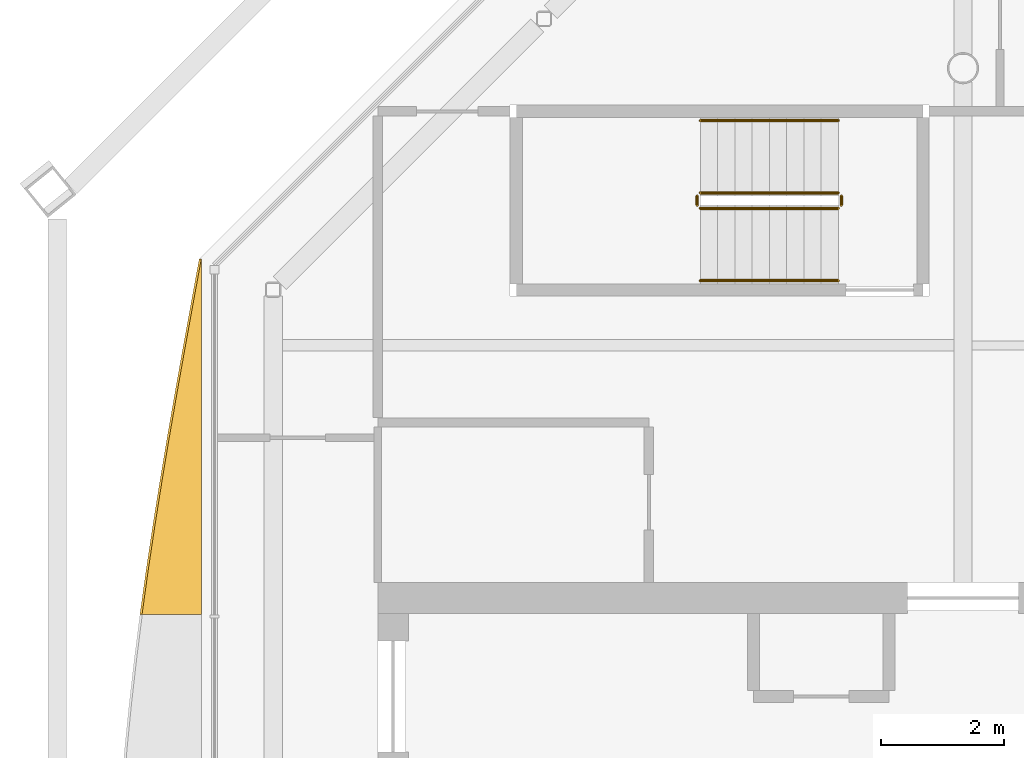
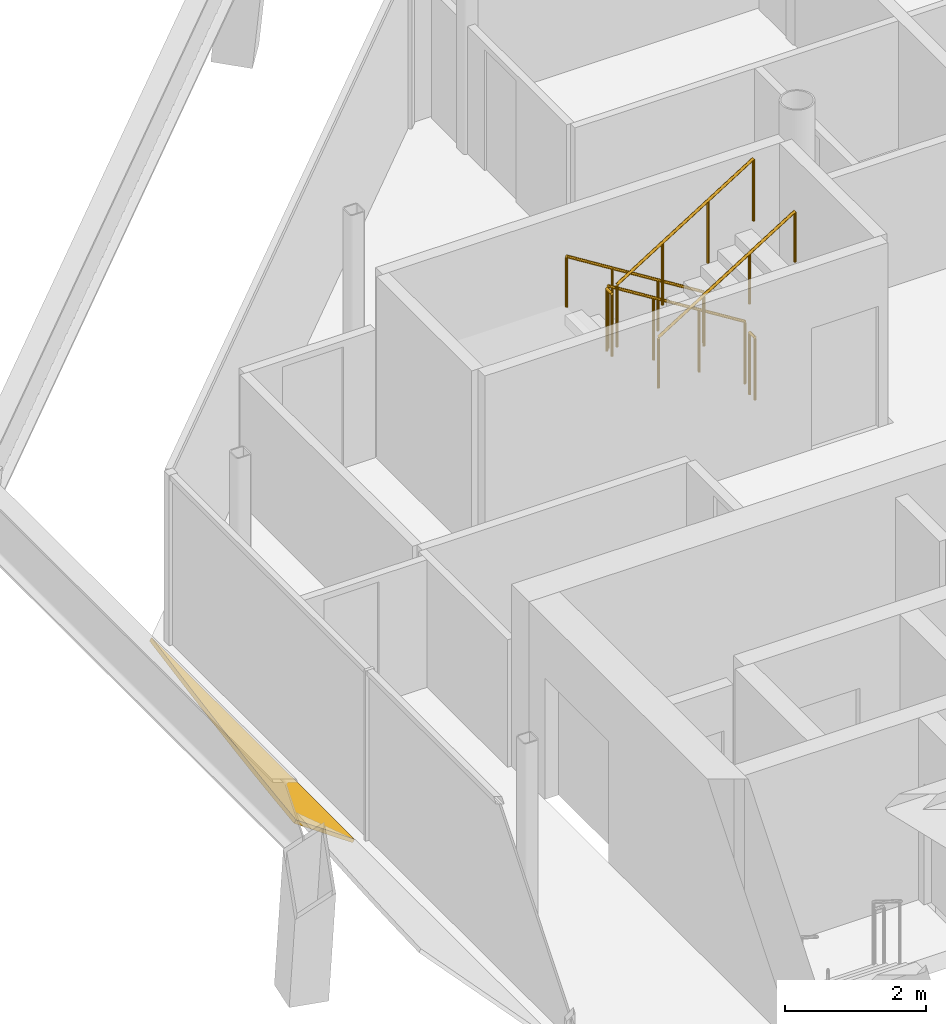
# One storey, part 13 of 14: 6 railings, 1 shading device.
"""IFC4 building model written with IfcOpenShell, lengths in metres."""

from ifc_helpers import new_model, si_unit, direction, frame, origin, origin_2d, place, context, subcontext, project, spatial, polyline, circle, outline, extrude, material, layer, layer_set, type_object, element, save


model = new_model("IFC4")

# Units and contexts
model_context = context("Model", 3, precision=1e-05, world=origin(), true_north=direction((0.0, 1.0)))
body_context = subcontext(model_context, "Body", "Model", "MODEL_VIEW")
ifc_project = project(units=[si_unit("LENGTHUNIT", "METRE"), si_unit("AREAUNIT", "SQUARE_METRE"), si_unit("VOLUMEUNIT", "CUBIC_METRE"), si_unit("PLANEANGLEUNIT", "RADIAN"), si_unit("MASSUNIT", "GRAM", prefix="KILO")], contexts=[model_context])

# Site, building, storey
site_placement = place(None, origin())
site = spatial("IfcSite", under=ifc_project, at=site_placement, CompositionType="ELEMENT")
building_placement = place(site_placement, origin())
building = spatial("IfcBuilding", under=site, at=building_placement, Name="Tskaro Facet Tower", CompositionType="ELEMENT")
storey_placement = place(building_placement, frame((0.0, 0.0, 294.14990234375)))
storey = spatial("IfcBuildingStorey", under=building, at=storey_placement, Name="L79", CompositionType="ELEMENT", Elevation=294.14990234375)

# Shading device
ifc_material_1 = material(Name="Bronze anodised aluminium 6063-T6", Category="aluminium")
ifc_layer = layer(ifc_material_1, 0.06005859375, Name="Bronze anodised aluminium 6063-T6")
ifc_layer_set = layer_set([ifc_layer], Name="Bronze anodised aluminium 6063-T6")
shading_device_type = type_object("IfcShadingDeviceType", Name="Bronze sun blade (FN1)", PredefinedType="USERDEFINED", material=ifc_layer_set)
shading_device_placement = place(storey_placement, frame((-12.365478515625, 5.89990234375, 0.04931640625), z_axis=(0.573434080901, 1.0882066e-05, 0.819251704144), x_axis=(6.240147e-06, -0.999999999941, 8.915151e-06)))
element("IfcShadingDevice", 1, at=shading_device_placement, inside=storey, type_object=shading_device_type, Name="Fin blade west 1", ObjectType="FIN", PredefinedType="USERDEFINED", context=body_context, shape_type="SweptSolid", body=[
    extrude(outline(polyline([(0.0, 0.0), (5.766601562158562, 0.0), (5.766601562816693, -1.1732857144683915), (5.045654296535432, -1.050760942561073), (4.3249511717461955, -0.9187557985066042), (3.6040039076347723, -0.7784903284621074), (2.8833007806633923, -0.6314446052759777), (2.162353515241339, -0.4785786484140657), (1.4416503900073954, -0.321512529279682), (0.7207031241473469, -0.1614662940299493), (0.0, 0.0)])), origin(), (0.0, 0.0, -1.0), 0.06005859375),
])

# Railings
ifc_material_2 = material(Name="Stainless steel", Category="steel")
railing_type_1 = type_object("IfcRailingType", Name="RL-GUARD-1100", PredefinedType="GUARDRAIL", material=ifc_material_2)
railing_1_placement = place(storey_placement, frame((-2.02490234375, 6.97509765625, 0.175048828125)))
element("IfcRailing", 2, at=railing_1_placement, inside=storey, type_object=railing_type_1, Name="L79 ST-3 stair guard 1", PredefinedType="GUARDRAIL", context=body_context, shape_type="SweptSolid", body=[
    extrude(circle(Radius=0.02392578125, at=origin_2d()), frame((0.0, 0.0, 1.076171875), z_axis=(-0.847972341737, 0.0, 0.530040477369), x_axis=(0.0, -1.0, 0.0)), (0.0, 0.0, 1.0), 2.6416015625),
    extrude(circle(Radius=0.02099609375, at=origin_2d()), origin(), (0.0, 0.0, 1.0), 1.052001953125),
    extrude(circle(Radius=0.02099609375, at=origin_2d()), frame((-0.74658203125, 0.0, 0.466796875)), (0.0, 0.0, 1.0), 1.052001953125),
    extrude(circle(Radius=0.02099609375, at=origin_2d()), frame((-1.493408203125, 0.0, 0.933349609375)), (0.0, 0.0, 1.0), 1.052001953125),
    extrude(circle(Radius=0.02099609375, at=origin_2d()), frame((-2.239990234375, 0.0, 1.400146484375)), (0.0, 0.0, 1.0), 1.052001953125),
])
railing_2_placement = place(storey_placement, frame((-4.31494140625, 6.925048828125, 1.5751953125)))
element("IfcRailing", 3, at=railing_2_placement, inside=storey, type_object=railing_type_1, Name="L79 ST-3 stair guard 2", PredefinedType="GUARDRAIL", context=body_context, shape_type="SweptSolid", body=[
    extrude(circle(Radius=0.02392578125, at=origin_2d()), frame((0.0, 0.0, 1.076171875), z_axis=(0.0, -1.0, 0.0), x_axis=(1.0, 0.0, 0.0)), (0.0, 0.0, 1.0), 0.150146484375),
    extrude(circle(Radius=0.02099609375, at=origin_2d()), origin(), (0.0, 0.0, 1.0), 1.052001953125),
    extrude(circle(Radius=0.02099609375, at=origin_2d()), frame((0.0, -0.150146484375, 0.0)), (0.0, 0.0, 1.0), 1.052001953125),
])
railing_3_placement = place(storey_placement, frame((-4.264892578125, 6.72509765625, 1.75)))
element("IfcRailing", 4, at=railing_3_placement, inside=storey, type_object=railing_type_1, Name="L79 ST-3 stair guard 3", PredefinedType="GUARDRAIL", context=body_context, shape_type="SweptSolid", body=[
    extrude(circle(Radius=0.02392578125, at=origin_2d()), frame((0.0, 0.0, 1.076171875), z_axis=(0.847972341737, 0.0, 0.530040477369), x_axis=(0.0, 1.0, 0.0)), (0.0, 0.0, 1.0), 2.6416015625),
    extrude(circle(Radius=0.02099609375, at=origin_2d()), origin(), (0.0, 0.0, 1.0), 1.052001953125),
    extrude(circle(Radius=0.02099609375, at=origin_2d()), frame((0.74658203125, 0.0, 0.466796875)), (0.0, 0.0, 1.0), 1.052001953125),
    extrude(circle(Radius=0.02099609375, at=origin_2d()), frame((1.493408203125, 0.0, 0.933349609375)), (0.0, 0.0, 1.0), 1.052001953125),
    extrude(circle(Radius=0.02099609375, at=origin_2d()), frame((2.239990234375, 0.0, 1.400146484375)), (0.0, 0.0, 1.0), 1.052001953125),
])
railing_4_placement = place(storey_placement, frame((-1.97509765625, 6.925048828125, 0.0)))
element("IfcRailing", 5, at=railing_4_placement, inside=storey, type_object=railing_type_1, Name="L79 ST-3 stair guard 4", PredefinedType="GUARDRAIL", context=body_context, shape_type="SweptSolid", body=[
    extrude(circle(Radius=0.02392578125, at=origin_2d()), frame((0.0, 0.0, 1.076171875), z_axis=(0.0, -1.0, 0.0), x_axis=(1.0, 0.0, 0.0)), (0.0, 0.0, 1.0), 0.150146484375),
    extrude(circle(Radius=0.02099609375, at=origin_2d()), origin(), (0.0, 0.0, 1.0), 1.052001953125),
    extrude(circle(Radius=0.02099609375, at=origin_2d()), frame((0.0, -0.150146484375, 0.0)), (0.0, 0.0, 1.0), 1.052001953125),
])
railing_type_2 = type_object("IfcRailingType", Name="RL-HANDRAIL-900", PredefinedType="HANDRAIL", material=ifc_material_2)
railing_5_placement = place(storey_placement, frame((-2.02490234375, 8.14990234375, 0.175048828125)))
element("IfcRailing", 6, at=railing_5_placement, inside=storey, type_object=railing_type_2, Name="L79 ST-3 stair handrail 1", PredefinedType="HANDRAIL", context=body_context, shape_type="SweptSolid", body=[
    extrude(circle(Radius=0.02392578125, at=origin_2d()), frame((0.0, 0.0, 0.8759765625), z_axis=(-0.847972341737, 0.0, 0.530040477369), x_axis=(0.0, -1.0, 0.0)), (0.0, 0.0, 1.0), 2.6416015625),
    extrude(circle(Radius=0.02099609375, at=origin_2d()), origin(), (0.0, 0.0, 1.0), 0.851806640625),
    extrude(circle(Radius=0.02099609375, at=origin_2d()), frame((-0.74658203125, 0.0, 0.466796875)), (0.0, 0.0, 1.0), 0.851806640625),
    extrude(circle(Radius=0.02099609375, at=origin_2d()), frame((-1.493408203125, 0.0, 0.933349609375)), (0.0, 0.0, 1.0), 0.851806640625),
    extrude(circle(Radius=0.02099609375, at=origin_2d()), frame((-2.239990234375, 0.0, 1.400146484375)), (0.0, 0.0, 1.0), 0.851806640625),
])
railing_6_placement = place(storey_placement, frame((-4.264892578125, 5.550048828125, 1.75)))
element("IfcRailing", 7, at=railing_6_placement, inside=storey, type_object=railing_type_2, Name="L79 ST-3 stair handrail 2", PredefinedType="HANDRAIL", context=body_context, shape_type="SweptSolid", body=[
    extrude(circle(Radius=0.02392578125, at=origin_2d()), frame((0.0, 0.0, 0.8759765625), z_axis=(0.847972341737, 0.0, 0.530040477369), x_axis=(0.0, 1.0, 0.0)), (0.0, 0.0, 1.0), 2.6416015625),
    extrude(circle(Radius=0.02099609375, at=origin_2d()), origin(), (0.0, 0.0, 1.0), 0.851806640625),
    extrude(circle(Radius=0.02099609375, at=origin_2d()), frame((0.74658203125, 0.0, 0.466796875)), (0.0, 0.0, 1.0), 0.851806640625),
    extrude(circle(Radius=0.02099609375, at=origin_2d()), frame((1.493408203125, 0.0, 0.933349609375)), (0.0, 0.0, 1.0), 0.851806640625),
    extrude(circle(Radius=0.02099609375, at=origin_2d()), frame((2.239990234375, 0.0, 1.400146484375)), (0.0, 0.0, 1.0), 0.851806640625),
])

save(model, "model.ifc")
